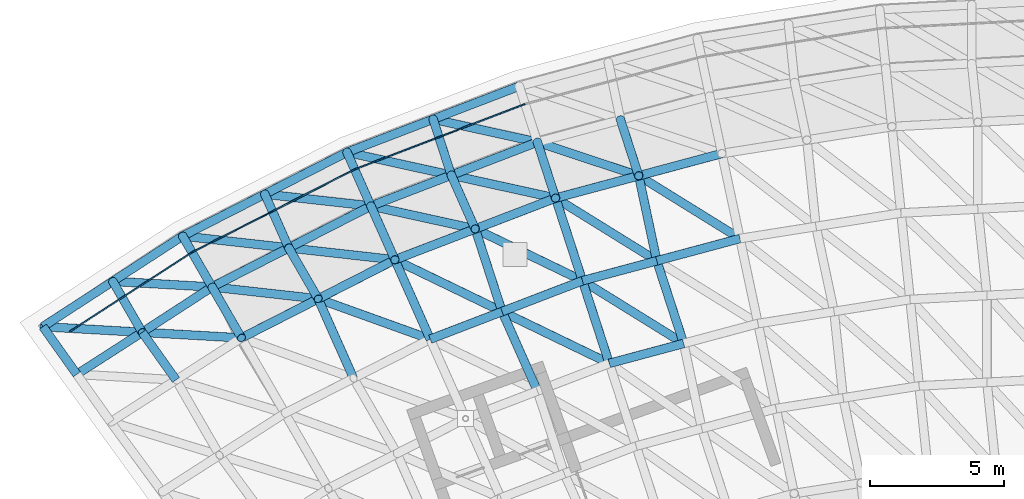
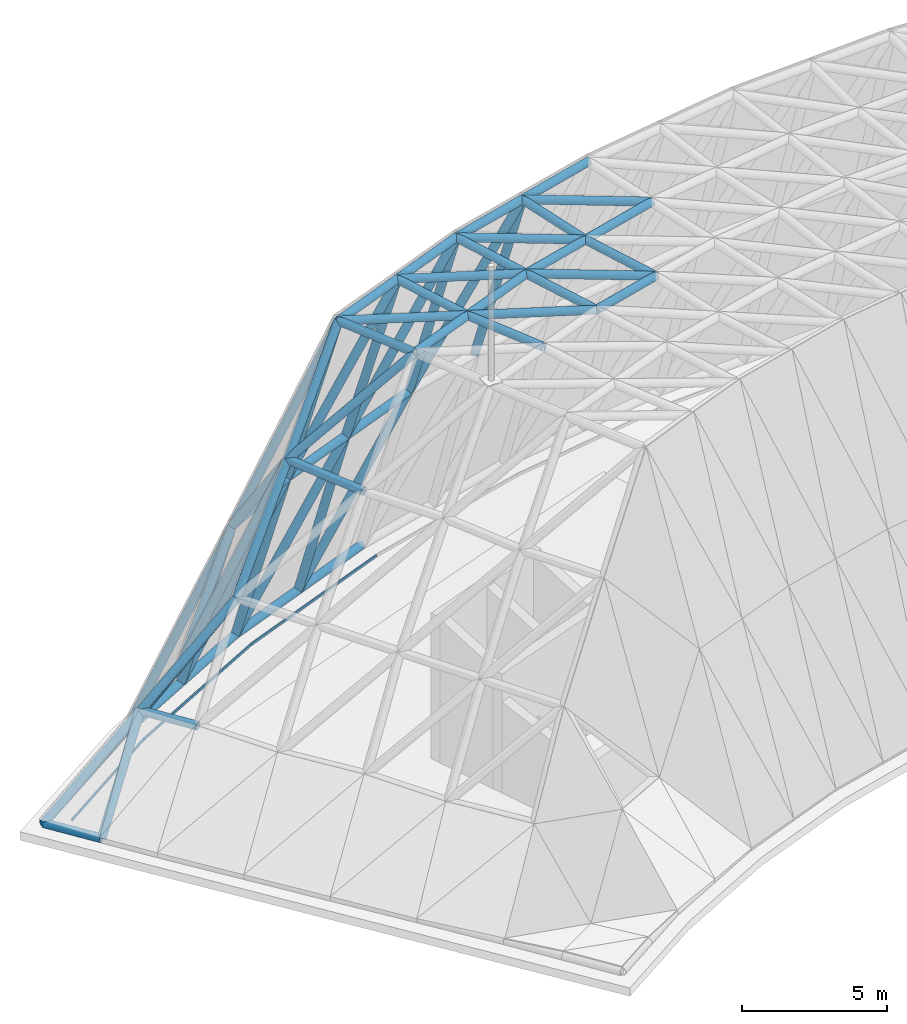
# One storey, part 4 of 20: 66 members.
"""IFC4 building model written with IfcOpenShell, lengths in metres."""

from ifc_helpers import new_model, si_unit, direction, frame, origin, origin_2d, place, context, subcontext, project, spatial, rectangle, hollow_circle, extrude, material, material_profile, profile_set, type_object, element, save


model = new_model("IFC4")

# Units and contexts
model_context = context("Model", 3, precision=1e-05, world=origin(), true_north=direction((0.0, 1.0)))
body_context = subcontext(model_context, "Body", "Model", "MODEL_VIEW")
ifc_project = project(units=[si_unit("LENGTHUNIT", "METRE"), si_unit("AREAUNIT", "SQUARE_METRE"), si_unit("VOLUMEUNIT", "CUBIC_METRE"), si_unit("PLANEANGLEUNIT", "RADIAN"), si_unit("MASSUNIT", "GRAM", prefix="KILO")], contexts=[model_context])

# Site, building, storey
site_placement = place(None, origin())
site = spatial("IfcSite", under=ifc_project, at=site_placement, CompositionType="ELEMENT")
building_placement = place(site_placement, origin())
building = spatial("IfcBuilding", under=site, at=building_placement, Name="Stone Belt Terrace Tower", CompositionType="ELEMENT")
storey_placement = place(building_placement, frame((0.0, 0.0, 337.39990234375)))
storey = spatial("IfcBuildingStorey", under=building, at=storey_placement, Name="RF", CompositionType="ELEMENT", Elevation=337.39990234375)

# Members
ifc_material_1 = material(Name="Structural steel C345", Category="steel")
ifc_material_profile_1 = material_profile(ifc_material_1, hollow_circle(Radius=0.16259765625, WallThickness=0.011962890625, at=origin_2d()), Name="Structural steel C345 CHS 325x12")
ifc_profile_set_1 = profile_set([ifc_material_profile_1], Name="Structural steel C345")
member_type_1 = type_object("IfcMemberType", Name="Crown frame tube CHS 325 x 12", PredefinedType="RAFTER", material=ifc_profile_set_1)
member_1_placement = place(storey_placement, frame((-38.1748046875, 53.680908203125, 0.16259765625), z_axis=(0.721277224037, -0.040840437321, 0.691441410942), x_axis=(0.056531835215, 0.998400797079, 0.0)))
element("IfcMember", 1, at=member_1_placement, inside=storey, type_object=member_type_1, Name="CROWN FRAME rafter 2", PredefinedType="RAFTER", context=body_context, shape_type="SweptSolid", body=[
    extrude(hollow_circle(Radius=0.16259765625, WallThickness=0.011962890625, at=origin_2d()), origin(), (0.0, 0.0, 1.0), 5.14697265625),
])
member_2_placement = place(storey_placement, frame((-35.562255859375, 55.375732421875, 0.16259765625), z_axis=(0.26288417265, -0.455335227345, 0.850624325133), x_axis=(0.866028486751, 0.499994660107, 0.0)))
element("IfcMember", 2, at=member_2_placement, inside=storey, type_object=member_type_1, Name="CROWN FRAME rafter 4", PredefinedType="RAFTER", context=body_context, shape_type="SweptSolid", body=[
    extrude(hollow_circle(Radius=0.16259765625, WallThickness=0.011962890625, at=origin_2d()), origin(), (0.0, 0.0, 1.0), 4.183837890625),
])
member_3_placement = place(storey_placement, frame((-35.562255859375, 55.375732421875, 0.16259765625), z_axis=(0.721275825961, -0.040887791791, 0.691440070698), x_axis=(0.056597283362, 0.998397089096, 0.0)))
element("IfcMember", 3, at=member_3_placement, inside=storey, type_object=member_type_1, Name="CROWN FRAME rafter 6", PredefinedType="RAFTER", context=body_context, shape_type="SweptSolid", body=[
    extrude(hollow_circle(Radius=0.16259765625, WallThickness=0.011962890625, at=origin_2d()), origin(), (0.0, 0.0, 1.0), 5.14697265625),
])
member_4_placement = place(storey_placement, frame((-34.46240234375, 53.470703125, 3.721435546875), z_axis=(0.721254466104, -0.040841834615, 0.69146506757), x_axis=(0.056535541309, 0.998400587224, 0.0)))
element("IfcMember", 4, at=member_4_placement, inside=storey, type_object=member_type_1, Name="CROWN FRAME rafter 8", PredefinedType="RAFTER", context=body_context, shape_type="SweptSolid", body=[
    extrude(hollow_circle(Radius=0.16259765625, WallThickness=0.011962890625, at=origin_2d()), origin(), (0.0, 0.0, 1.0), 5.146728515625),
])
member_5_placement = place(storey_placement, frame((-34.46240234375, 53.470703125, 3.721435546875), z_axis=(-0.532275745532, -0.341797751148, -0.774504246618), x_axis=(0.540333004351, -0.841451272748, 0.0)))
element("IfcMember", 5, at=member_5_placement, inside=storey, type_object=member_type_1, Name="CROWN FRAME rafter 9", PredefinedType="RAFTER", context=body_context, shape_type="SweptSolid", body=[
    extrude(hollow_circle(Radius=0.16259765625, WallThickness=0.011962890625, at=origin_2d()), origin(), (0.0, 0.0, 1.0), 4.594970703125),
])
member_6_placement = place(storey_placement, frame((-32.94970703125, 57.0703125, 0.16259765625), z_axis=(0.26288417265, -0.455335227345, 0.850624325133), x_axis=(0.866028486751, 0.499994660107, 0.0)))
element("IfcMember", 6, at=member_6_placement, inside=storey, type_object=member_type_1, Name="CROWN FRAME rafter 11", PredefinedType="RAFTER", context=body_context, shape_type="SweptSolid", body=[
    extrude(hollow_circle(Radius=0.16259765625, WallThickness=0.011962890625, at=origin_2d()), origin(), (0.0, 0.0, 1.0), 4.183837890625),
])
member_7_placement = place(storey_placement, frame((-32.94970703125, 57.0703125, 0.16259765625), z_axis=(0.466990788731, -0.052210328767, 0.882719482514), x_axis=(0.11110936941, 0.993808184726, 0.0)))
element("IfcMember", 7, at=member_7_placement, inside=storey, type_object=member_type_1, Name="CROWN FRAME rafter 13", PredefinedType="RAFTER", context=body_context, shape_type="SweptSolid", body=[
    extrude(hollow_circle(Radius=0.16259765625, WallThickness=0.011962890625, at=origin_2d()), origin(), (0.0, 0.0, 1.0), 8.49658203125),
])
member_8_placement = place(storey_placement, frame((-31.849853515625, 55.165283203125, 3.721435546875), z_axis=(0.262836833842, -0.455295954181, 0.850659974891), x_axis=(0.866048801325, 0.49995947208, 0.0)))
element("IfcMember", 8, at=member_8_placement, inside=storey, type_object=member_type_1, Name="CROWN FRAME rafter 14", PredefinedType="RAFTER", context=body_context, shape_type="SweptSolid", body=[
    extrude(hollow_circle(Radius=0.16259765625, WallThickness=0.011962890625, at=origin_2d()), origin(), (0.0, 0.0, 1.0), 4.18359375),
])
member_9_placement = place(storey_placement, frame((-31.849853515625, 55.165283203125, 3.721435546875), z_axis=(0.563600975612, 0.287198045459, 0.774513539568), x_axis=(-0.454026902189, 0.890987975277, 0.0)))
element("IfcMember", 9, at=member_9_placement, inside=storey, type_object=member_type_1, Name="CROWN FRAME rafter 15", PredefinedType="RAFTER", context=body_context, shape_type="SweptSolid", body=[
    extrude(hollow_circle(Radius=0.16259765625, WallThickness=0.011962890625, at=origin_2d()), origin(), (0.0, 0.0, 1.0), 5.088623046875),
])
member_10_placement = place(storey_placement, frame((-31.849853515625, 55.165283203125, 3.721435546875), z_axis=(0.466968320321, -0.052211029353, 0.882731327319), x_axis=(0.111116122075, 0.993807429744, 0.0)))
element("IfcMember", 10, at=member_10_placement, inside=storey, type_object=member_type_1, Name="CROWN FRAME rafter 16", PredefinedType="RAFTER", context=body_context, shape_type="SweptSolid", body=[
    extrude(hollow_circle(Radius=0.16259765625, WallThickness=0.011962890625, at=origin_2d()), origin(), (0.0, 0.0, 1.0), 8.496337890625),
])
member_11_placement = place(storey_placement, frame((-30.750244140625, 53.260498046875, 7.2802734375), z_axis=(0.563608741134, 0.287154023639, 0.774524211129), x_axis=(-0.453966686315, 0.891018657333, 0.0)))
element("IfcMember", 11, at=member_11_placement, inside=storey, type_object=member_type_1, Name="CROWN FRAME rafter 19", PredefinedType="RAFTER", context=body_context, shape_type="SweptSolid", body=[
    extrude(hollow_circle(Radius=0.16259765625, WallThickness=0.011962890625, at=origin_2d()), origin(), (0.0, 0.0, 1.0), 5.08837890625),
])
member_12_placement = place(storey_placement, frame((-29.876708984375, 58.635986328125, 0.16259765625), z_axis=(0.114481872174, -0.257076618825, 0.959586115467), x_axis=(0.913513782933, 0.406807778184, 0.0)))
element("IfcMember", 12, at=member_12_placement, inside=storey, type_object=member_type_1, Name="CROWN FRAME rafter 76", PredefinedType="RAFTER", context=body_context, shape_type="SweptSolid", body=[
    extrude(hollow_circle(Radius=0.16259765625, WallThickness=0.011962890625, at=origin_2d()), origin(), (0.0, 0.0, 1.0), 7.81591796875),
])
member_13_placement = place(storey_placement, frame((-29.876708984375, 58.635986328125, 0.16259765625), z_axis=(0.466990788731, -0.052210328767, 0.882719482514), x_axis=(0.11110936941, 0.993808184726, 0.0)))
element("IfcMember", 13, at=member_13_placement, inside=storey, type_object=member_type_1, Name="CROWN FRAME rafter 78", PredefinedType="RAFTER", context=body_context, shape_type="SweptSolid", body=[
    extrude(hollow_circle(Radius=0.16259765625, WallThickness=0.011962890625, at=origin_2d()), origin(), (0.0, 0.0, 1.0), 8.49658203125),
])
member_14_placement = place(storey_placement, frame((-28.98193359375, 56.626708984375, 7.66259765625), z_axis=(0.466968320321, -0.052211029353, 0.882731327319), x_axis=(0.111116122075, 0.993807429744, 0.0)))
element("IfcMember", 14, at=member_14_placement, inside=storey, type_object=member_type_1, Name="CROWN FRAME rafter 80", PredefinedType="RAFTER", context=body_context, shape_type="SweptSolid", body=[
    extrude(hollow_circle(Radius=0.16259765625, WallThickness=0.011962890625, at=origin_2d()), origin(), (0.0, 0.0, 1.0), 8.496337890625),
])
member_15_placement = place(storey_placement, frame((-28.98193359375, 56.626708984375, 7.66259765625), z_axis=(0.262829850257, -0.455342211714, 0.850637372824), x_axis=(0.866076543685, 0.499911412631, 0.0)))
element("IfcMember", 15, at=member_15_placement, inside=storey, type_object=member_type_1, Name="CROWN FRAME rafter 81", PredefinedType="RAFTER", context=body_context, shape_type="SweptSolid", body=[
    extrude(hollow_circle(Radius=0.16259765625, WallThickness=0.011962890625, at=origin_2d()), origin(), (0.0, 0.0, 1.0), 4.183837890625),
])
member_16_placement = place(storey_placement, frame((-26.8037109375, 60.201904296875, 0.16259765625), z_axis=(0.114480952819, -0.257105790629, 0.959578409442), x_axis=(0.913532149489, 0.406766532363, 0.0)))
element("IfcMember", 16, at=member_16_placement, inside=storey, type_object=member_type_1, Name="CROWN FRAME rafter 82", PredefinedType="RAFTER", context=body_context, shape_type="SweptSolid", body=[
    extrude(hollow_circle(Radius=0.16259765625, WallThickness=0.011962890625, at=origin_2d()), origin(), (0.0, 0.0, 1.0), 7.81591796875),
])
member_17_placement = place(storey_placement, frame((-26.8037109375, 60.201904296875, 0.16259765625), z_axis=(0.458973946007, -0.100742669173, 0.882719565601), x_axis=(0.214391642933, 0.976747778826, 0.0)))
element("IfcMember", 17, at=member_17_placement, inside=storey, type_object=member_type_1, Name="CROWN FRAME rafter 84", PredefinedType="RAFTER", context=body_context, shape_type="SweptSolid", body=[
    extrude(hollow_circle(Radius=0.16259765625, WallThickness=0.011962890625, at=origin_2d()), origin(), (0.0, 0.0, 1.0), 8.49658203125),
])
member_18_placement = place(storey_placement, frame((-25.908935546875, 58.1923828125, 7.66259765625), z_axis=(0.114451044871, -0.257077538014, 0.959589546513), x_axis=(0.913555029688, 0.406715143229, 0.0)))
element("IfcMember", 18, at=member_18_placement, inside=storey, type_object=member_type_1, Name="CROWN FRAME rafter 85", PredefinedType="RAFTER", context=body_context, shape_type="SweptSolid", body=[
    extrude(hollow_circle(Radius=0.16259765625, WallThickness=0.011962890625, at=origin_2d()), origin(), (0.0, 0.0, 1.0), 7.81591796875),
])
member_19_placement = place(storey_placement, frame((-25.908935546875, 58.1923828125, 7.66259765625), z_axis=(0.458951264294, -0.100743997785, 0.882731207057), x_axis=(0.214404448875, 0.976744967892, 0.0)))
element("IfcMember", 19, at=member_19_placement, inside=storey, type_object=member_type_1, Name="CROWN FRAME rafter 87", PredefinedType="RAFTER", context=body_context, shape_type="SweptSolid", body=[
    extrude(hollow_circle(Radius=0.16259765625, WallThickness=0.011962890625, at=origin_2d()), origin(), (0.0, 0.0, 1.0), 8.496337890625),
])
member_20_placement = place(storey_placement, frame((-25.014404296875, 56.18310546875, 15.16259765625), z_axis=(-0.563600975612, -0.287198045459, -0.774513539568), x_axis=(0.454026902189, -0.890987975277, 0.0)))
element("IfcMember", 20, at=member_20_placement, inside=storey, type_object=member_type_1, Name="CROWN FRAME rafter 88", PredefinedType="RAFTER", context=body_context, shape_type="SweptSolid", body=[
    extrude(hollow_circle(Radius=0.16259765625, WallThickness=0.011962890625, at=origin_2d()), origin(), (0.0, 0.0, 1.0), 5.088623046875),
])
member_21_placement = place(storey_placement, frame((-27.88232421875, 54.7216796875, 11.221435546875), z_axis=(0.704603638502, -0.253521003831, 0.662767540866), x_axis=(0.338558320867, 0.940945409347, 0.0)))
element("IfcMember", 21, at=member_21_placement, inside=storey, type_object=member_type_1, Name="CROWN FRAME rafter 93", PredefinedType="RAFTER", context=body_context, shape_type="SweptSolid", body=[
    extrude(hollow_circle(Radius=0.16259765625, WallThickness=0.011962890625, at=origin_2d()), origin(), (0.0, 0.0, 1.0), 5.946533203125),
])
member_22_placement = place(storey_placement, frame((-23.583740234375, 61.43798828125, 0.16259765625), z_axis=(0.086961927799, -0.267664065845, 0.959579892958), x_axis=(0.951064242649, 0.30899321409, 0.0)))
element("IfcMember", 22, at=member_22_placement, inside=storey, type_object=member_type_1, Name="CROWN FRAME rafter 126", PredefinedType="RAFTER", context=body_context, shape_type="SweptSolid", body=[
    extrude(hollow_circle(Radius=0.16259765625, WallThickness=0.011962890625, at=origin_2d()), origin(), (0.0, 0.0, 1.0), 7.81591796875),
])
for number, where, z_axis, x_axis, name in (
    (23, (-23.583740234375, 61.43798828125, 0.16259765625), (0.458949935514, -0.100772440762, 0.882728651327), (0.214462790121, 0.976732159629, 0.0), "CROWN FRAME rafter 128"),
    (24, (-22.904052734375, 59.345947265625, 7.66259765625), (0.458951264294, -0.100743997785, 0.882731207057), (0.214404448875, 0.976744967892, 0.0), "CROWN FRAME rafter 130"),
):
    element("IfcMember", number, at=place(storey_placement, frame(where, z_axis=z_axis, x_axis=x_axis)), inside=storey, type_object=member_type_1, Name=name, PredefinedType="RAFTER", context=body_context, shape_type="SweptSolid", body=[
        extrude(hollow_circle(Radius=0.16259765625, WallThickness=0.011962890625, at=origin_2d()), origin(), (0.0, 0.0, 1.0), 8.496337890625),
    ])
for number, where, z_axis, x_axis, name in (
    (25, (-22.904052734375, 59.345947265625, 7.66259765625), (0.114450125757, -0.257106709908, 0.959581840405), (0.913573388708, 0.406673903077, 0.0), "CROWN FRAME rafter 131"),
    (26, (-19.684326171875, 60.581787109375, 7.66259765625), (0.086962654841, -0.267635067053, 0.959587915486), (0.951053644102, 0.309025833938, 0.0), "CROWN FRAME rafter 135"),
):
    element("IfcMember", number, at=place(storey_placement, frame(where, z_axis=z_axis, x_axis=x_axis)), inside=storey, type_object=member_type_1, Name=name, PredefinedType="RAFTER", context=body_context, shape_type="SweptSolid", body=[
        extrude(hollow_circle(Radius=0.16259765625, WallThickness=0.011962890625, at=origin_2d()), origin(), (0.0, 0.0, 1.0), 7.81591796875),
    ])
member_23_placement = place(storey_placement, frame((-19.684326171875, 60.581787109375, 7.66259765625), z_axis=(0.445929479166, -0.148154674565, 0.88272141246), x_axis=(0.31529200949, 0.94899470428, 0.0)))
element("IfcMember", 27, at=member_23_placement, inside=storey, type_object=member_type_1, Name="CROWN FRAME rafter 137", PredefinedType="RAFTER", context=body_context, shape_type="SweptSolid", body=[
    extrude(hollow_circle(Radius=0.16259765625, WallThickness=0.011962890625, at=origin_2d()), origin(), (0.0, 0.0, 1.0), 8.496337890625),
])
member_24_placement = place(storey_placement, frame((-16.5751953125, 61.4150390625, 7.66259765625), z_axis=(0.086961927799, -0.267664065845, 0.959579892958), x_axis=(0.951064242649, 0.30899321409, 0.0)))
element("IfcMember", 28, at=member_24_placement, inside=storey, type_object=member_type_1, Name="CROWN FRAME rafter 181", PredefinedType="RAFTER", context=body_context, shape_type="SweptSolid", body=[
    extrude(hollow_circle(Radius=0.16259765625, WallThickness=0.011962890625, at=origin_2d()), origin(), (0.0, 0.0, 1.0), 7.81591796875),
])
ifc_material_profile_2 = material_profile(ifc_material_1, hollow_circle(Radius=0.16259765625, WallThickness=0.011962890625, at=origin_2d()), Name="Structural steel C345 CHS 325x12")
ifc_profile_set_2 = profile_set([ifc_material_profile_2], Name="Structural steel C345")
member_type_2 = type_object("IfcMemberType", Name="Crown ring and ridge tube CHS 325 x 12", PredefinedType="CHORD", material=ifc_profile_set_2)
member_25_placement = place(storey_placement, frame((-38.1748046875, 53.680908203125, 0.16259765625), z_axis=(0.838932264631, 0.544235845348, 0.0), x_axis=(-0.544235845348, 0.838932264631, 0.0)))
element("IfcMember", 29, at=member_25_placement, inside=storey, type_object=member_type_2, Name="CROWN FRAME ring beam 1", PredefinedType="CHORD", context=body_context, shape_type="SweptSolid", body=[
    extrude(hollow_circle(Radius=0.16259765625, WallThickness=0.011962890625, at=origin_2d()), origin(), (0.0, 0.0, 1.0), 3.114013671875),
])
member_26_placement = place(storey_placement, frame((-38.1748046875, 53.680908203125, 0.16259765625), z_axis=(0.579609525226, -0.814894347917, 0.0), x_axis=(0.814894347917, 0.579609525226, 0.0)))
element("IfcMember", 30, at=member_26_placement, inside=storey, type_object=member_type_2, Name="CROWN FRAME ring beam 3", PredefinedType="CHORD", context=body_context, shape_type="SweptSolid", body=[
    extrude(hollow_circle(Radius=0.16259765625, WallThickness=0.011962890625, at=origin_2d()), origin(), (0.0, 0.0, 1.0), 2.185302734375),
])
for number, where, z_axis, x_axis, name in (
    (31, (-35.562255859375, 55.375732421875, 0.16259765625), (0.838968058866, 0.54418066504, 0.0), (-0.54418066504, 0.838968058866, 0.0), "CROWN FRAME ring beam 5"),
    (32, (-34.46240234375, 53.470703125, 3.721435546875), (0.838968058866, 0.54418066504, 0.0), (-0.54418066504, 0.838968058866, 0.0), "CROWN FRAME cap beam 7"),
):
    element("IfcMember", number, at=place(storey_placement, frame(where, z_axis=z_axis, x_axis=x_axis)), inside=storey, type_object=member_type_2, Name=name, PredefinedType="CHORD", context=body_context, shape_type="SweptSolid", body=[
        extrude(hollow_circle(Radius=0.16259765625, WallThickness=0.011962890625, at=origin_2d()), origin(), (0.0, 0.0, 1.0), 3.114013671875),
    ])
member_27_placement = place(storey_placement, frame((-34.46240234375, 53.470703125, 3.721435546875), z_axis=(0.579556760604, -0.814931875213, 0.0), x_axis=(0.814931875213, 0.579556760604, 0.0)))
element("IfcMember", 33, at=member_27_placement, inside=storey, type_object=member_type_2, Name="CROWN FRAME cap beam 10", PredefinedType="CHORD", context=body_context, shape_type="SweptSolid", body=[
    extrude(hollow_circle(Radius=0.16259765625, WallThickness=0.011962890625, at=origin_2d()), origin(), (0.0, 0.0, 1.0), 2.185546875),
])
for number, where, z_axis, x_axis, name in (
    (34, (-32.94970703125, 57.0703125, 0.16259765625), (0.891017887076, 0.453968198127, 0.0), (-0.453968198127, 0.891017887076, 0.0), "CROWN FRAME ring beam 12"),
    (35, (-29.876708984375, 58.635986328125, 0.16259765625), (0.890989252618, 0.454024395511, 0.0), (-0.454024395511, 0.890989252618, 0.0), "CROWN FRAME ring beam 77"),
    (36, (-28.98193359375, 56.626708984375, 7.66259765625), (0.891017887076, 0.453968198127, 0.0), (-0.453968198127, 0.891017887076, 0.0), "CROWN FRAME cap beam 79"),
    (37, (-26.8037109375, 60.201904296875, 0.16259765625), (0.933575281678, 0.35838135197, 0.0), (-0.35838135197, 0.933575281678, 0.0), "CROWN FRAME ring beam 83"),
):
    element("IfcMember", number, at=place(storey_placement, frame(where, z_axis=z_axis, x_axis=x_axis)), inside=storey, type_object=member_type_2, Name=name, PredefinedType="CHORD", context=body_context, shape_type="SweptSolid", body=[
        extrude(hollow_circle(Radius=0.16259765625, WallThickness=0.011962890625, at=origin_2d()), origin(), (0.0, 0.0, 1.0), 3.448974609375),
    ])
member_28_placement = place(storey_placement, frame((-25.908935546875, 58.1923828125, 7.66259765625), z_axis=(0.933570238348, 0.358394489454, 0.0), x_axis=(-0.358394489454, 0.933570238348, 0.0)))
element("IfcMember", 38, at=member_28_placement, inside=storey, type_object=member_type_2, Name="CROWN FRAME cap beam 86", PredefinedType="CHORD", context=body_context, shape_type="SweptSolid", body=[
    extrude(hollow_circle(Radius=0.16259765625, WallThickness=0.011962890625, at=origin_2d()), origin(), (0.0, 0.0, 1.0), 3.21875),
])
member_29_placement = place(storey_placement, frame((-25.014404296875, 56.18310546875, 15.16259765625), z_axis=(0.406772625454, -0.913529436407, 0.0), x_axis=(0.913529436407, 0.406772625454, 0.0)))
element("IfcMember", 39, at=member_29_placement, inside=storey, type_object=member_type_2, Name="CROWN FRAME cap beam 89", PredefinedType="CHORD", context=body_context, shape_type="SweptSolid", body=[
    extrude(hollow_circle(Radius=0.16259765625, WallThickness=0.011962890625, at=origin_2d()), origin(), (0.0, 0.0, 1.0), 3.25),
])
member_30_placement = place(storey_placement, frame((-25.014404296875, 56.18310546875, 15.16259765625), z_axis=(0.933595615307, 0.358328378836, 0.0), x_axis=(-0.358328378836, 0.933595615307, 0.0)))
element("IfcMember", 40, at=member_30_placement, inside=storey, type_object=member_type_2, Name="CROWN FRAME cap beam 90", PredefinedType="CHORD", context=body_context, shape_type="SweptSolid", body=[
    extrude(hollow_circle(Radius=0.16259765625, WallThickness=0.011962890625, at=origin_2d()), origin(), (0.0, 0.0, 1.0), 3.218505859375),
])
member_31_placement = place(storey_placement, frame((-25.014404296875, 56.18310546875, 15.16259765625), z_axis=(0.900376877077, -0.43511088153, 0.0), x_axis=(0.43511088153, 0.900376877077, 0.0)))
element("IfcMember", 41, at=member_31_placement, inside=storey, type_object=member_type_2, Name="CROWN FRAME cap beam 91", PredefinedType="CHORD", context=body_context, shape_type="SweptSolid", body=[
    extrude(hollow_circle(Radius=0.16259765625, WallThickness=0.011962890625, at=origin_2d()), origin(), (0.0, 0.0, 1.0), 4.452880859375),
])
member_32_placement = place(storey_placement, frame((-27.88232421875, 54.7216796875, 11.221435546875), z_axis=(0.406772625454, -0.913529436407, 0.0), x_axis=(0.913529436407, 0.406772625454, 0.0)))
element("IfcMember", 42, at=member_32_placement, inside=storey, type_object=member_type_2, Name="CROWN FRAME cap beam 92", PredefinedType="CHORD", context=body_context, shape_type="SweptSolid", body=[
    extrude(hollow_circle(Radius=0.16259765625, WallThickness=0.011962890625, at=origin_2d()), origin(), (0.0, 0.0, 1.0), 3.25),
])
member_33_placement = place(storey_placement, frame((-23.6923828125, 53.214111328125, 15.16259765625), z_axis=(0.933585858699, 0.358353797856, 0.0), x_axis=(-0.358353797856, 0.933585858699, 0.0)))
element("IfcMember", 43, at=member_33_placement, inside=storey, type_object=member_type_2, Name="CROWN FRAME cap beam 98", PredefinedType="CHORD", context=body_context, shape_type="SweptSolid", body=[
    extrude(hollow_circle(Radius=0.16259765625, WallThickness=0.011962890625, at=origin_2d()), origin(), (0.0, 0.0, 1.0), 2.87841796875),
])
for number, where, z_axis, x_axis, name in (
    (44, (-23.583740234375, 61.43798828125, 0.16259765625), (0.933589873646, 0.358343337913, 0.0), (-0.358343337913, 0.933589873646, 0.0), "CROWN FRAME ring beam 127"),
    (45, (-22.904052734375, 59.345947265625, 7.66259765625), (0.933589873646, 0.358343337913, 0.0), (-0.358343337913, 0.933589873646, 0.0), "CROWN FRAME cap beam 129"),
):
    element("IfcMember", number, at=place(storey_placement, frame(where, z_axis=z_axis, x_axis=x_axis)), inside=storey, type_object=member_type_2, Name=name, PredefinedType="CHORD", context=body_context, shape_type="SweptSolid", body=[
        extrude(hollow_circle(Radius=0.16259765625, WallThickness=0.011962890625, at=origin_2d()), origin(), (0.0, 0.0, 1.0), 3.44873046875),
    ])
member_34_placement = place(storey_placement, frame((-19.004638671875, 58.489990234375, 15.16259765625), z_axis=(-0.933570238348, -0.358394489454, 0.0), x_axis=(0.358394489454, -0.933570238348, 0.0)))
element("IfcMember", 46, at=member_34_placement, inside=storey, type_object=member_type_2, Name="CROWN FRAME cap beam 138", PredefinedType="CHORD", context=body_context, shape_type="SweptSolid", body=[
    extrude(hollow_circle(Radius=0.16259765625, WallThickness=0.011962890625, at=origin_2d()), origin(), (0.0, 0.0, 1.0), 3.21875),
])
member_35_placement = place(storey_placement, frame((-19.004638671875, 58.489990234375, 15.16259765625), z_axis=(0.309030020915, -0.951052283617, 0.0), x_axis=(0.951052283617, 0.309030020915, 0.0)))
element("IfcMember", 47, at=member_35_placement, inside=storey, type_object=member_type_2, Name="CROWN FRAME cap beam 139", PredefinedType="CHORD", context=body_context, shape_type="SweptSolid", body=[
    extrude(hollow_circle(Radius=0.16259765625, WallThickness=0.011962890625, at=origin_2d()), origin(), (0.0, 0.0, 1.0), 3.250244140625),
])
member_36_placement = place(storey_placement, frame((-19.004638671875, 58.489990234375, 15.16259765625), z_axis=(0.965932139747, 0.258795481807, 0.0), x_axis=(-0.258795481807, 0.965932139747, 0.0)))
element("IfcMember", 48, at=member_36_placement, inside=storey, type_object=member_type_2, Name="CROWN FRAME cap beam 140", PredefinedType="CHORD", context=body_context, shape_type="SweptSolid", body=[
    extrude(hollow_circle(Radius=0.16259765625, WallThickness=0.011962890625, at=origin_2d()), origin(), (0.0, 0.0, 1.0), 3.21875),
])
member_37_placement = place(storey_placement, frame((-19.004638671875, 58.489990234375, 15.16259765625), z_axis=(0.84997290815, -0.526826399691, 0.0), x_axis=(0.526826399691, 0.84997290815, 0.0)))
element("IfcMember", 49, at=member_37_placement, inside=storey, type_object=member_type_2, Name="CROWN FRAME cap beam 141", PredefinedType="CHORD", context=body_context, shape_type="SweptSolid", body=[
    extrude(hollow_circle(Radius=0.16259765625, WallThickness=0.011962890625, at=origin_2d()), origin(), (0.0, 0.0, 1.0), 4.452880859375),
])
member_38_placement = place(storey_placement, frame((-22.009521484375, 57.33642578125, 15.16259765625), z_axis=(0.309052099479, -0.951045109239, 0.0), x_axis=(0.951045109239, 0.309052099479, 0.0)))
element("IfcMember", 50, at=member_38_placement, inside=storey, type_object=member_type_2, Name="CROWN FRAME cap beam 142", PredefinedType="CHORD", context=body_context, shape_type="SweptSolid", body=[
    extrude(hollow_circle(Radius=0.16259765625, WallThickness=0.011962890625, at=origin_2d()), origin(), (0.0, 0.0, 1.0), 3.25),
])
member_39_placement = place(storey_placement, frame((-22.009521484375, 57.33642578125, 15.16259765625), z_axis=(0.900376877077, -0.43511088153, 0.0), x_axis=(0.43511088153, 0.900376877077, 0.0)))
element("IfcMember", 51, at=member_39_placement, inside=storey, type_object=member_type_2, Name="CROWN FRAME cap beam 143", PredefinedType="CHORD", context=body_context, shape_type="SweptSolid", body=[
    extrude(hollow_circle(Radius=0.16259765625, WallThickness=0.011962890625, at=origin_2d()), origin(), (0.0, 0.0, 1.0), 4.452880859375),
])
member_40_placement = place(storey_placement, frame((-21.005126953125, 54.24560546875, 15.16259765625), z_axis=(0.933595615307, 0.358328378836, 0.0), x_axis=(-0.358328378836, 0.933595615307, 0.0)))
element("IfcMember", 52, at=member_40_placement, inside=storey, type_object=member_type_2, Name="CROWN FRAME cap beam 144", PredefinedType="CHORD", context=body_context, shape_type="SweptSolid", body=[
    extrude(hollow_circle(Radius=0.16259765625, WallThickness=0.011962890625, at=origin_2d()), origin(), (0.0, 0.0, 1.0), 3.218505859375),
])
member_41_placement = place(storey_placement, frame((-21.005126953125, 54.24560546875, 15.16259765625), z_axis=(0.900376877077, -0.43511088153, 0.0), x_axis=(0.43511088153, 0.900376877077, 0.0)))
element("IfcMember", 53, at=member_41_placement, inside=storey, type_object=member_type_2, Name="CROWN FRAME cap beam 145", PredefinedType="CHORD", context=body_context, shape_type="SweptSolid", body=[
    extrude(hollow_circle(Radius=0.16259765625, WallThickness=0.011962890625, at=origin_2d()), origin(), (0.0, 0.0, 1.0), 4.452880859375),
])
for number, where, z_axis, x_axis, name in (
    (54, (-21.005126953125, 54.24560546875, 15.16259765625), (0.406772625454, -0.913529436407, 0.0), (0.913529436407, 0.406772625454, 0.0), "CROWN FRAME cap beam 146"),
    (55, (-18.000244140625, 55.39892578125, 15.16259765625), (0.309052099479, -0.951045109239, 0.0), (0.951045109239, 0.309052099479, 0.0), "CROWN FRAME cap beam 147"),
):
    element("IfcMember", number, at=place(storey_placement, frame(where, z_axis=z_axis, x_axis=x_axis)), inside=storey, type_object=member_type_2, Name=name, PredefinedType="CHORD", context=body_context, shape_type="SweptSolid", body=[
        extrude(hollow_circle(Radius=0.16259765625, WallThickness=0.011962890625, at=origin_2d()), origin(), (0.0, 0.0, 1.0), 3.25),
    ])
member_42_placement = place(storey_placement, frame((-18.000244140625, 55.39892578125, 15.16259765625), z_axis=(0.965918900074, 0.258844892706, 0.0), x_axis=(-0.258844892706, 0.965918900074, 0.0)))
element("IfcMember", 56, at=member_42_placement, inside=storey, type_object=member_type_2, Name="CROWN FRAME cap beam 148", PredefinedType="CHORD", context=body_context, shape_type="SweptSolid", body=[
    extrude(hollow_circle(Radius=0.16259765625, WallThickness=0.011962890625, at=origin_2d()), origin(), (0.0, 0.0, 1.0), 2.878662109375),
])
member_43_placement = place(storey_placement, frame((-18.000244140625, 55.39892578125, 15.16259765625), z_axis=(0.849982242475, -0.526811339549, 0.0), x_axis=(0.526811339549, 0.849982242475, 0.0)))
element("IfcMember", 57, at=member_43_placement, inside=storey, type_object=member_type_2, Name="CROWN FRAME cap beam 149", PredefinedType="CHORD", context=body_context, shape_type="SweptSolid", body=[
    extrude(hollow_circle(Radius=0.16259765625, WallThickness=0.011962890625, at=origin_2d()), origin(), (0.0, 0.0, 1.0), 4.45263671875),
])
member_44_placement = place(storey_placement, frame((-16.995849609375, 52.30810546875, 15.16259765625), z_axis=(0.965913216943, 0.258866099237, 0.0), x_axis=(-0.258866099237, 0.965913216943, 0.0)))
element("IfcMember", 58, at=member_44_placement, inside=storey, type_object=member_type_2, Name="CROWN FRAME cap beam 152", PredefinedType="CHORD", context=body_context, shape_type="SweptSolid", body=[
    extrude(hollow_circle(Radius=0.16259765625, WallThickness=0.011962890625, at=origin_2d()), origin(), (0.0, 0.0, 1.0), 2.87841796875),
])
member_45_placement = place(storey_placement, frame((-12.78662109375, 60.156005859375, 15.16259765625), z_axis=(-0.96592705922, -0.258814443699, 0.0), x_axis=(0.258814443699, -0.96592705922, 0.0)))
element("IfcMember", 59, at=member_45_placement, inside=storey, type_object=member_type_2, Name="CROWN FRAME cap beam 188", PredefinedType="CHORD", context=body_context, shape_type="SweptSolid", body=[
    extrude(hollow_circle(Radius=0.16259765625, WallThickness=0.011962890625, at=origin_2d()), origin(), (0.0, 0.0, 1.0), 3.218505859375),
])
member_46_placement = place(storey_placement, frame((-15.8955078125, 59.322998046875, 15.16259765625), z_axis=(0.207933325345, -0.978143001923, 0.0), x_axis=(0.978143001923, 0.207933325345, 0.0)))
element("IfcMember", 60, at=member_46_placement, inside=storey, type_object=member_type_2, Name="CROWN FRAME cap beam 192", PredefinedType="CHORD", context=body_context, shape_type="SweptSolid", body=[
    extrude(hollow_circle(Radius=0.16259765625, WallThickness=0.011962890625, at=origin_2d()), origin(), (0.0, 0.0, 1.0), 3.25),
])
member_47_placement = place(storey_placement, frame((-15.8955078125, 59.322998046875, 15.16259765625), z_axis=(0.849957690249, -0.526850951206, 0.0), x_axis=(0.526850951206, 0.849957690249, 0.0)))
element("IfcMember", 61, at=member_47_placement, inside=storey, type_object=member_type_2, Name="CROWN FRAME cap beam 193", PredefinedType="CHORD", context=body_context, shape_type="SweptSolid", body=[
    extrude(hollow_circle(Radius=0.16259765625, WallThickness=0.011962890625, at=origin_2d()), origin(), (0.0, 0.0, 1.0), 4.452880859375),
])
member_48_placement = place(storey_placement, frame((-15.2197265625, 56.14404296875, 15.16259765625), z_axis=(0.96592705922, 0.258814443699, 0.0), x_axis=(-0.258814443699, 0.96592705922, 0.0)))
element("IfcMember", 62, at=member_48_placement, inside=storey, type_object=member_type_2, Name="CROWN FRAME cap beam 194", PredefinedType="CHORD", context=body_context, shape_type="SweptSolid", body=[
    extrude(hollow_circle(Radius=0.16259765625, WallThickness=0.011962890625, at=origin_2d()), origin(), (0.0, 0.0, 1.0), 3.218505859375),
])
member_49_placement = place(storey_placement, frame((-15.2197265625, 56.14404296875, 15.16259765625), z_axis=(0.308984150214, -0.951067187383, 0.0), x_axis=(0.951067187383, 0.308984150214, 0.0)))
element("IfcMember", 63, at=member_49_placement, inside=storey, type_object=member_type_2, Name="CROWN FRAME cap beam 196", PredefinedType="CHORD", context=body_context, shape_type="SweptSolid", body=[
    extrude(hollow_circle(Radius=0.16259765625, WallThickness=0.011962890625, at=origin_2d()), origin(), (0.0, 0.0, 1.0), 3.249755859375),
])
ifc_material_2 = material(Name="Stainless steel AISI 304", Category="steel")
ifc_material_profile_3 = material_profile(ifc_material_2, rectangle(XDim=0.050048828125, YDim=0.10009765625, at=origin_2d()), Name="Stainless steel AISI 304 100x50")
ifc_profile_set_3 = profile_set([ifc_material_profile_3], Name="Stainless steel AISI 304")
member_type_3 = type_object("IfcMemberType", Name="Snow retention bar 100 x 50", PredefinedType="MEMBER", material=ifc_profile_set_3)
member_50_placement = place(storey_placement, frame((-37.17529296875, 53.494873046875, 0.050048828125), z_axis=(0.838953554469, 0.544203025942, 0.0), x_axis=(-0.544203025942, 0.838953554469, 0.0)))
element("IfcMember", 64, at=member_50_placement, inside=storey, type_object=member_type_3, Name="SNOW GUARD retention bar outer 1", PredefinedType="MEMBER", context=body_context, shape_type="SweptSolid", body=[
    extrude(rectangle(XDim=0.050048828125, YDim=0.10009765625, at=origin_2d()), origin(), (0.0, 0.0, 1.0), 5.454345703125),
])
member_51_placement = place(storey_placement, frame((-32.599365234375, 56.463134765625, 0.050048828125), z_axis=(0.891002911882, 0.45399758922, 0.0), x_axis=(-0.45399758922, 0.891002911882, 0.0)))
element("IfcMember", 65, at=member_51_placement, inside=storey, type_object=member_type_3, Name="SNOW GUARD retention bar outer 2", PredefinedType="MEMBER", context=body_context, shape_type="SweptSolid", body=[
    extrude(rectangle(XDim=0.050048828125, YDim=0.10009765625, at=origin_2d()), origin(), (0.0, 0.0, 1.0), 6.82470703125),
])
member_52_placement = place(storey_placement, frame((-26.5185546875, 59.5615234375, 0.050048828125), z_axis=(0.933584206976, 0.358358100907, 0.0), x_axis=(-0.358358100907, 0.933584206976, 0.0)))
element("IfcMember", 66, at=member_52_placement, inside=storey, type_object=member_type_3, Name="SNOW GUARD retention bar outer 3", PredefinedType="MEMBER", context=body_context, shape_type="SweptSolid", body=[
    extrude(rectangle(XDim=0.050048828125, YDim=0.10009765625, at=origin_2d()), origin(), (0.0, 0.0, 1.0), 6.82421875),
])

save(model, "model.ifc")
